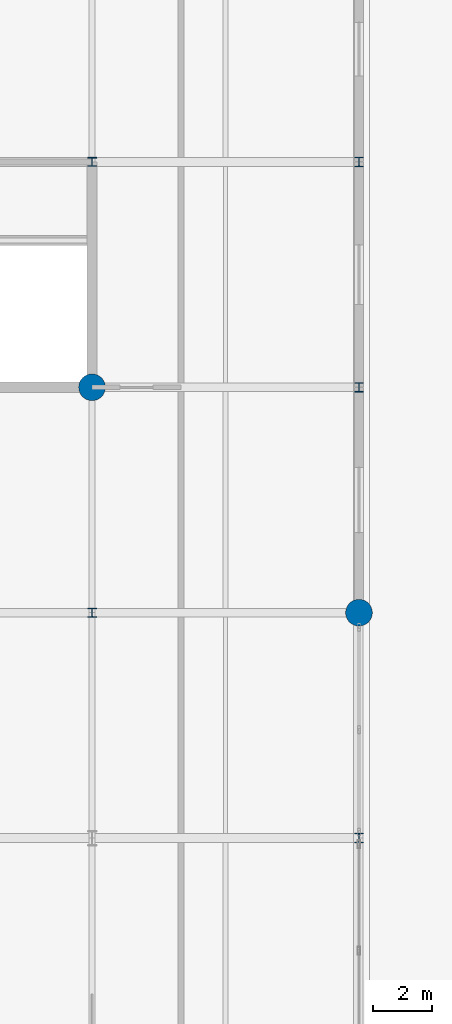
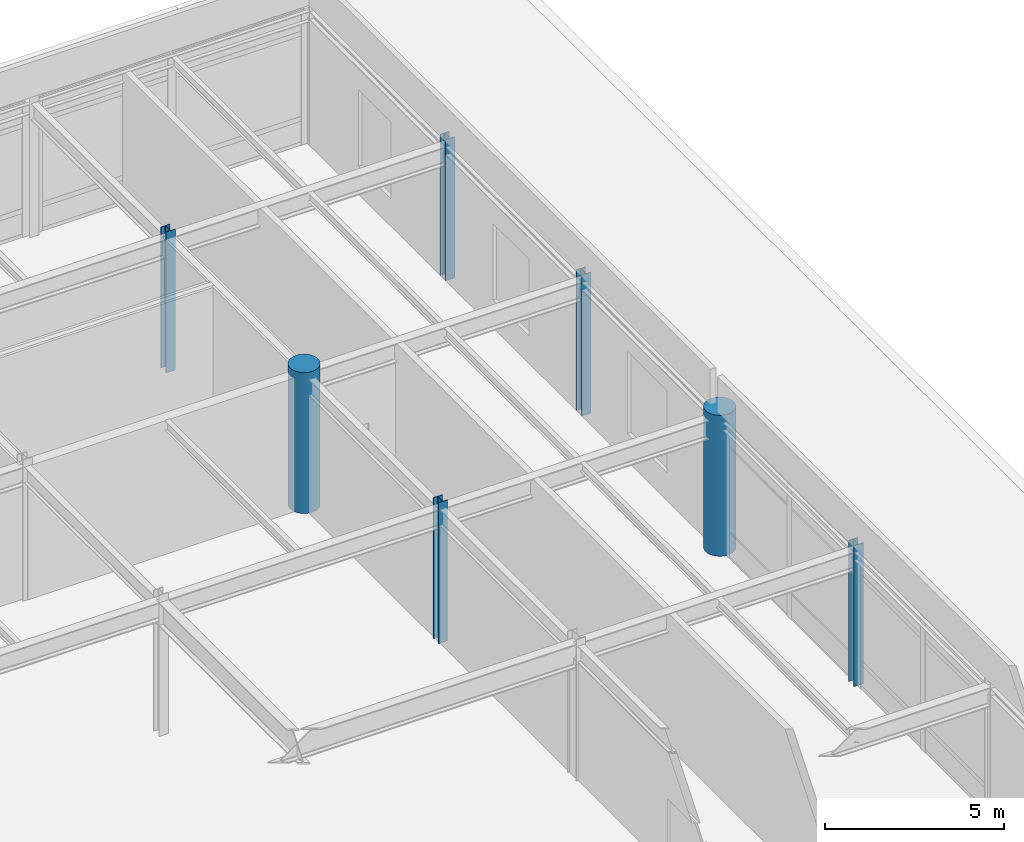
# One storey, part 8 of 43: 7 columns.
"""IFC4 building model written with IfcOpenShell, lengths in metres."""

from ifc_helpers import new_model, si_unit, direction, frame, origin, origin_2d, place, context, subcontext, project, spatial, circle, i_section, extrude, material, material_profile, profile_set, type_object, element, save


model = new_model("IFC4")

# Units and contexts
model_context = context("Model", 3, precision=1e-05, world=origin(), true_north=direction((0.0, 1.0)))
body_context = subcontext(model_context, "Body", "Model", "MODEL_VIEW")
ifc_project = project(units=[si_unit("LENGTHUNIT", "METRE"), si_unit("AREAUNIT", "SQUARE_METRE"), si_unit("VOLUMEUNIT", "CUBIC_METRE"), si_unit("PLANEANGLEUNIT", "RADIAN"), si_unit("MASSUNIT", "GRAM", prefix="KILO")], contexts=[model_context])

# Site, building, storey
site_placement = place(None, origin())
site = spatial("IfcSite", under=ifc_project, at=site_placement, CompositionType="ELEMENT")
building_placement = place(site_placement, origin())
building = spatial("IfcBuilding", under=site, at=building_placement, Name="Shalkamar Park Central Library", CompositionType="ELEMENT")
storey_placement = place(building_placement, frame((0.0, 0.0, 15.60009765625)))
storey = spatial("IfcBuildingStorey", under=building, at=storey_placement, Name="L04", CompositionType="ELEMENT", Elevation=15.60009765625)

# Columns
ifc_material_1 = material(Name="Concrete C40/50", Category="concrete")
ifc_material_profile_1 = material_profile(ifc_material_1, circle(Radius=0.449951171875, at=origin_2d()), Name="RC D900")
ifc_profile_set_1 = profile_set([ifc_material_profile_1], Name="Concrete C40/50")
column_type_1 = type_object("IfcColumnType", Name="Column Concrete RCD900", PredefinedType="COLUMN", material=ifc_profile_set_1)
for number, where, z_axis, x_axis, name in (
    (1, (255.0, 300.800048828125, 0.0), (0.0, 0.0, 1.0), (1.0, 0.0, 0.0), "Column 18/J (L04)"),
    (2, (264.0, 293.199951171875, 0.0), (0.0, 0.0, 1.0), (1.0, 0.0, 0.0), "Column 19/H (L04)"),
):
    element("IfcColumn", number, at=place(storey_placement, frame(where, z_axis=z_axis, x_axis=x_axis)), inside=storey, type_object=column_type_1, Name=name, PredefinedType="COLUMN", context=body_context, shape_type="SweptSolid", body=[
        extrude(circle(Radius=0.449951171875, at=origin_2d()), origin(), (0.0, 0.0, 1.0), 4.7998046875),
    ])
ifc_material_2 = material(Name="Steel S355", Category="steel")
ifc_material_profile_2 = material_profile(ifc_material_2, i_section(OverallWidth=0.300048828125, OverallDepth=0.300048828125, WebThickness=0.010986328125, FlangeThickness=0.01904296875, FilletRadius=0.027099609375, at=origin_2d()), Name="HEB 300")
ifc_profile_set_2 = profile_set([ifc_material_profile_2], Name="Steel S355")
column_type_2 = type_object("IfcColumnType", Name="Column Steel HEB300", PredefinedType="COLUMN", material=ifc_profile_set_2)
for number, where, z_axis, x_axis, name in (
    (3, (255.0, 293.199951171875, 0.0), (0.0, 0.0, 1.0), (1.0, 0.0, 0.0), "Column 18/H (L04)"),
    (4, (255.0, 308.39990234375, 0.0), (0.0, 0.0, 1.0), (1.0, 0.0, 0.0), "Column 18/K (L04)"),
):
    element("IfcColumn", number, at=place(storey_placement, frame(where, z_axis=z_axis, x_axis=x_axis)), inside=storey, type_object=column_type_2, Name=name, PredefinedType="COLUMN", context=body_context, shape_type="SweptSolid", body=[
        extrude(i_section(OverallWidth=0.300048828125, OverallDepth=0.300048828125, WebThickness=0.010986328125, FlangeThickness=0.01904296875, FilletRadius=0.027099609375, at=origin_2d()), origin(), (0.0, 0.0, 1.0), 4.7998046875),
    ])
ifc_material_profile_3 = material_profile(ifc_material_2, i_section(OverallWidth=0.300048828125, OverallDepth=0.320068359375, WebThickness=0.011474609375, FlangeThickness=0.0205078125, FilletRadius=0.027099609375, at=origin_2d()), Name="HEB 320")
ifc_profile_set_3 = profile_set([ifc_material_profile_3], Name="Steel S355")
column_type_3 = type_object("IfcColumnType", Name="Column Steel HEB320", PredefinedType="COLUMN", material=ifc_profile_set_3)
for number, where, z_axis, x_axis, name in (
    (5, (264.0, 285.60009765625, 0.0), (0.0, 0.0, 1.0), (1.0, 0.0, 0.0), "Column 19/G (L04)"),
    (6, (264.0, 300.800048828125, 0.0), (0.0, 0.0, 1.0), (1.0, 0.0, 0.0), "Column 19/J (L04)"),
    (7, (264.0, 308.39990234375, 0.0), (0.0, 0.0, 1.0), (1.0, 0.0, 0.0), "Column 19/K (L04)"),
):
    element("IfcColumn", number, at=place(storey_placement, frame(where, z_axis=z_axis, x_axis=x_axis)), inside=storey, type_object=column_type_3, Name=name, PredefinedType="COLUMN", context=body_context, shape_type="SweptSolid", body=[
        extrude(i_section(OverallWidth=0.300048828125, OverallDepth=0.320068359375, WebThickness=0.011474609375, FlangeThickness=0.0205078125, FilletRadius=0.027099609375, at=origin_2d()), origin(), (0.0, 0.0, 1.0), 4.7998046875),
    ])

save(model, "model.ifc")
